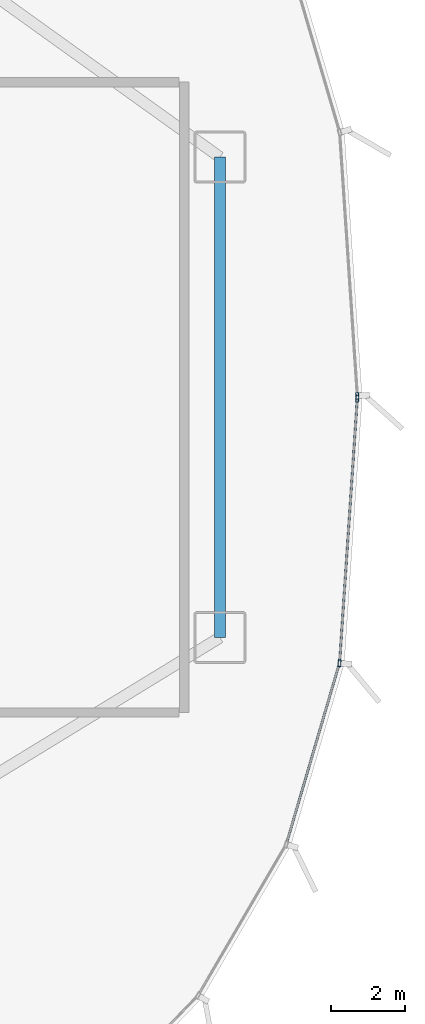
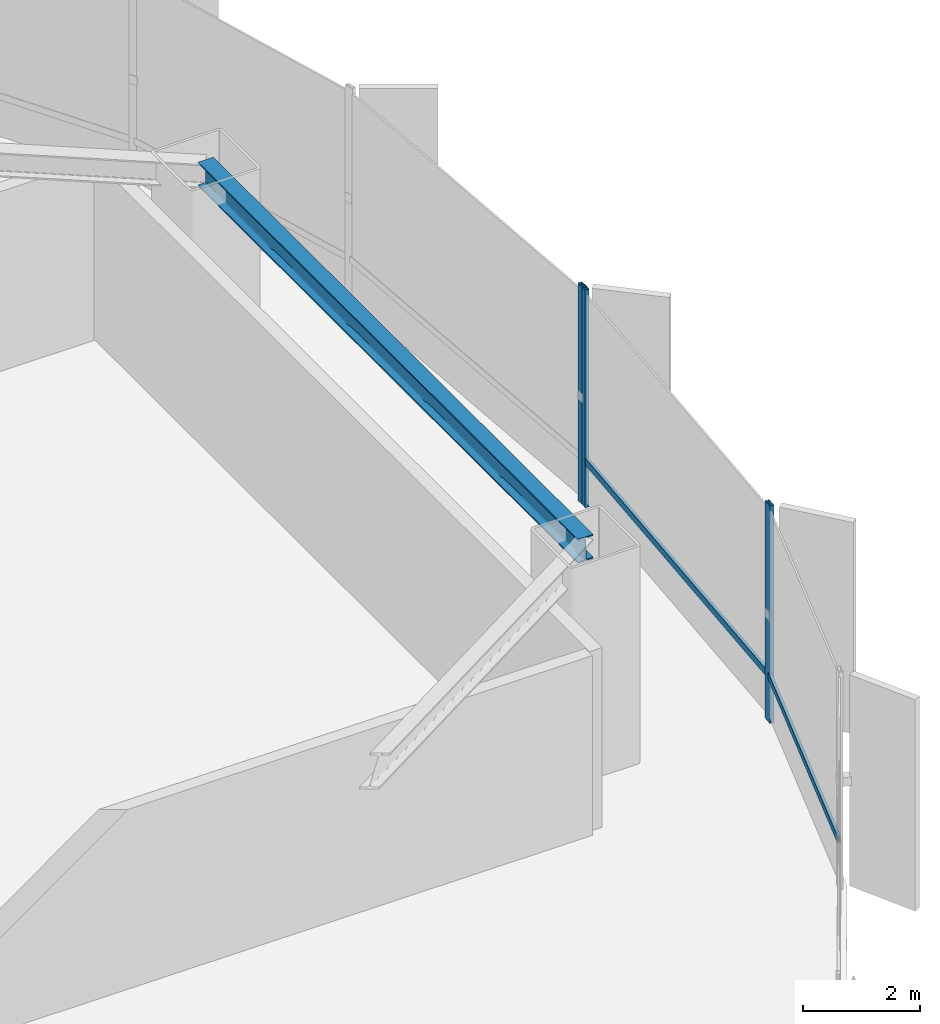
# One storey, part 18 of 33: 5 members, 1 beam, 2 elements without a shape of their own.
"""IFC4 building model written with IfcOpenShell, lengths in metres."""

from ifc_helpers import new_model, si_unit, direction, frame, origin, origin_2d, place, context, subcontext, project, spatial, hollow_rectangle, i_section, extrude, source, transform, mapped, material, layer, layer_set, material_profile, profile_set, type_object, element, aggregate, save


model = new_model("IFC4")

# Units and contexts
model_context = context("Model", 3, precision=1e-05, world=origin(), true_north=direction((0.0, 1.0)))
body_context = subcontext(model_context, "Body", "Model", "MODEL_VIEW")
ifc_project = project(units=[si_unit("LENGTHUNIT", "METRE"), si_unit("AREAUNIT", "SQUARE_METRE"), si_unit("VOLUMEUNIT", "CUBIC_METRE"), si_unit("PLANEANGLEUNIT", "RADIAN"), si_unit("MASSUNIT", "GRAM", prefix="KILO"), si_unit("THERMODYNAMICTEMPERATUREUNIT", "KELVIN")], contexts=[model_context])

# Site, building, storey
site_placement = place(None, origin())
site = spatial("IfcSite", under=ifc_project, at=site_placement, CompositionType="ELEMENT")
building_placement = place(site_placement, origin())
building = spatial("IfcBuilding", under=site, at=building_placement, Name="Kethvar Cultural Tower", CompositionType="ELEMENT")
storey_placement = place(building_placement, frame((0.0, 0.0, 10.0)))
storey = spatial("IfcBuildingStorey", under=building, at=storey_placement, Name="L02", CompositionType="ELEMENT", Elevation=10.0)

# Beam
ifc_material_1 = material(Name="Steel S355J2", Category="steel")
ifc_material_profile_1 = material_profile(ifc_material_1, i_section(OverallWidth=0.300048828125, OverallDepth=0.5, WebThickness=0.014404296875, FlangeThickness=0.028076171875, FilletRadius=0.027099609375, at=origin_2d()), Name="Steel S355J2 — HEB500")
ifc_profile_set_1 = profile_set([ifc_material_profile_1], Name="Steel S355J2 — HEB500")
beam_type = type_object("IfcBeamType", Name="BM-SP500", PredefinedType="SPANDREL", material=ifc_profile_set_1)
shared_shape_1 = source(origin(), body_context, "Body", "SweptSolid", [
    extrude(i_section(OverallWidth=0.300048828125, OverallDepth=0.5, WebThickness=0.014404296875, FlangeThickness=0.028076171875, FilletRadius=0.027099609375, at=origin_2d()), origin(), (0.0, 0.0, 1.0), 12.9541015625),
])
beam_placement = place(storey_placement, frame((79.362060546875, 21.322998046875, 4.278076171875), z_axis=(0.0, 1.0, 0.0), x_axis=(-1.0, 0.0, 0.0)))
element("IfcBeam", 1, at=beam_placement, inside=storey, type_object=beam_type, Name="L02 Podium Ring Beam 16", PredefinedType="SPANDREL", context=body_context, shape_type="MappedRepresentation", body=[
    mapped(shared_shape_1, transform((0.0, 0.0, 0.0), scale=1.0)),
])

# Curtain wall, members
ifc_material_2 = material(Name="Aluminium 6063-T6", Category="aluminium")
ifc_layer = layer(ifc_material_2, 0.179931640625, Name="Aluminium 6063-T6", Category="aluminium")
ifc_layer_set = layer_set([ifc_layer], Name="Aluminium 6063-T6 (180 mm)")
curtain_wall_type = type_object("IfcCurtainWallType", Name="CW-SYS-01-POD", PredefinedType="NOTDEFINED", material=ifc_layer_set)
curtain_wall_1_placement = place(storey_placement, origin())
curtain_wall_1 = element("IfcCurtainWall", 2, at=curtain_wall_1_placement, inside=storey, type_object=curtain_wall_type, Name="L02 Curtain Wall Run 06", PredefinedType="NOTDEFINED")
ifc_material_profile_2 = material_profile(ifc_material_2, hollow_rectangle(XDim=0.06005859375, YDim=0.139892578125, WallThickness=0.0048828125, at=origin_2d()), Name="Aluminium 6063-T6 — RHS140x60x5")
ifc_profile_set_2 = profile_set([ifc_material_profile_2], Name="Aluminium 6063-T6 — RHS140x60x5")
member_type_1 = type_object("IfcMemberType", Name="CW-SYS-01-POD-TRN", PredefinedType="USERDEFINED", material=ifc_profile_set_2)
shared_shape_2 = source(origin(), body_context, "Body", "SweptSolid", [
    extrude(hollow_rectangle(XDim=0.06005859375, YDim=0.139892578125, WallThickness=0.0048828125, at=origin_2d()), origin(), (0.0, 0.0, 1.0), 7.086669921875),
])
member_1_placement = place(storey_placement, frame((82.591552734375, 20.68408203125, 0.949951171875), z_axis=(0.067040329347, 0.99775026647, 0.0), x_axis=(-0.99775026647, 0.067040329347, 0.0)))
member_1 = element("IfcMember", 3, at=member_1_placement, type_object=member_type_1, Name="CW-L02-R06 Transom 4", ObjectType="TRANSOM", PredefinedType="USERDEFINED", context=body_context, shape_type="MappedRepresentation", body=[
    mapped(shared_shape_2, transform((0.0, 0.0, 0.0), scale=1.0)),
])
shared_shape_3 = source(origin(), body_context, "Body", "SweptSolid", [
    extrude(hollow_rectangle(XDim=0.06005859375, YDim=0.139892578125, WallThickness=0.0048828125, at=origin_2d()), origin(), (0.0, 0.0, 1.0), 5.0126953125),
])
member_2_placement = place(storey_placement, frame((81.16552734375, 15.796630859375, 0.949951171875), z_axis=(0.281757580899, 0.959485625534, 0.0), x_axis=(-0.959485625534, 0.281757580899, 0.0)))
member_2 = element("IfcMember", 4, at=member_2_placement, type_object=member_type_1, Name="CW-L02-R06 Transom 3", ObjectType="TRANSOM", PredefinedType="USERDEFINED", context=body_context, shape_type="MappedRepresentation", body=[
    mapped(shared_shape_3, transform((0.0, 0.0, 0.0), scale=1.0)),
])

# Curtain wall, member
curtain_wall_2_placement = place(storey_placement, origin())
curtain_wall_2 = element("IfcCurtainWall", 5, at=curtain_wall_2_placement, inside=storey, type_object=curtain_wall_type, Name="L02 Curtain Wall Run 01", PredefinedType="NOTDEFINED")
ifc_material_profile_3 = material_profile(ifc_material_2, hollow_rectangle(XDim=0.074951171875, YDim=0.179931640625, WallThickness=0.006103515625, at=origin_2d()), Name="Aluminium 6063-T6 — RHS180x75x6")
ifc_profile_set_3 = profile_set([ifc_material_profile_3], Name="Aluminium 6063-T6 — RHS180x75x6")
member_type_2 = type_object("IfcMemberType", Name="CW-SYS-01-POD-MUL", PredefinedType="MULLION", material=ifc_profile_set_3)
shared_shape_4 = source(origin(), body_context, "Body", "SweptSolid", [
    extrude(hollow_rectangle(XDim=0.074951171875, YDim=0.179931640625, WallThickness=0.006103515625, at=origin_2d()), origin(), (0.0, 0.0, 1.0), 4.530029296875),
])
member_3_placement = place(storey_placement, frame((83.06689453125, 27.83984375, 0.0), z_axis=(0.0, 0.0, 1.0), x_axis=(-0.997750279374, -0.067040137302, 0.0)))
member_3 = element("IfcMember", 6, at=member_3_placement, type_object=member_type_2, Name="CW-L02-R01 Mullion 1", PredefinedType="MULLION", context=body_context, shape_type="MappedRepresentation", body=[
    mapped(shared_shape_4, transform((0.0, 0.0, 0.0), scale=1.0)),
])
aggregate(curtain_wall_2, [member_3])

# Member
member_4_placement = place(storey_placement, frame((82.587890625, 20.630126953125, 0.0), z_axis=(0.0, 0.0, 1.0), x_axis=(-0.997750279374, 0.067040137302, 0.0)))
member_4 = element("IfcMember", 7, at=member_4_placement, type_object=member_type_2, Name="CW-L02-R06 Mullion 4", PredefinedType="MULLION", context=body_context, shape_type="MappedRepresentation", body=[
    mapped(shared_shape_4, transform((0.0, 0.0, 0.0), scale=1.0)),
])

member_5_placement = place(storey_placement, frame((83.06689453125, 27.760009765625, 0.0), z_axis=(0.0, 0.0, 1.0), x_axis=(-0.997750279374, 0.067040137302, 0.0)))
member_5 = element("IfcMember", 8, at=member_5_placement, type_object=member_type_2, Name="CW-L02-R06 Mullion 5", PredefinedType="MULLION", context=body_context, shape_type="MappedRepresentation", body=[
    mapped(shared_shape_4, transform((0.0, 0.0, 0.0), scale=1.0)),
])

aggregate(curtain_wall_1, [member_4, member_5, member_2, member_1])

save(model, "model.ifc")
